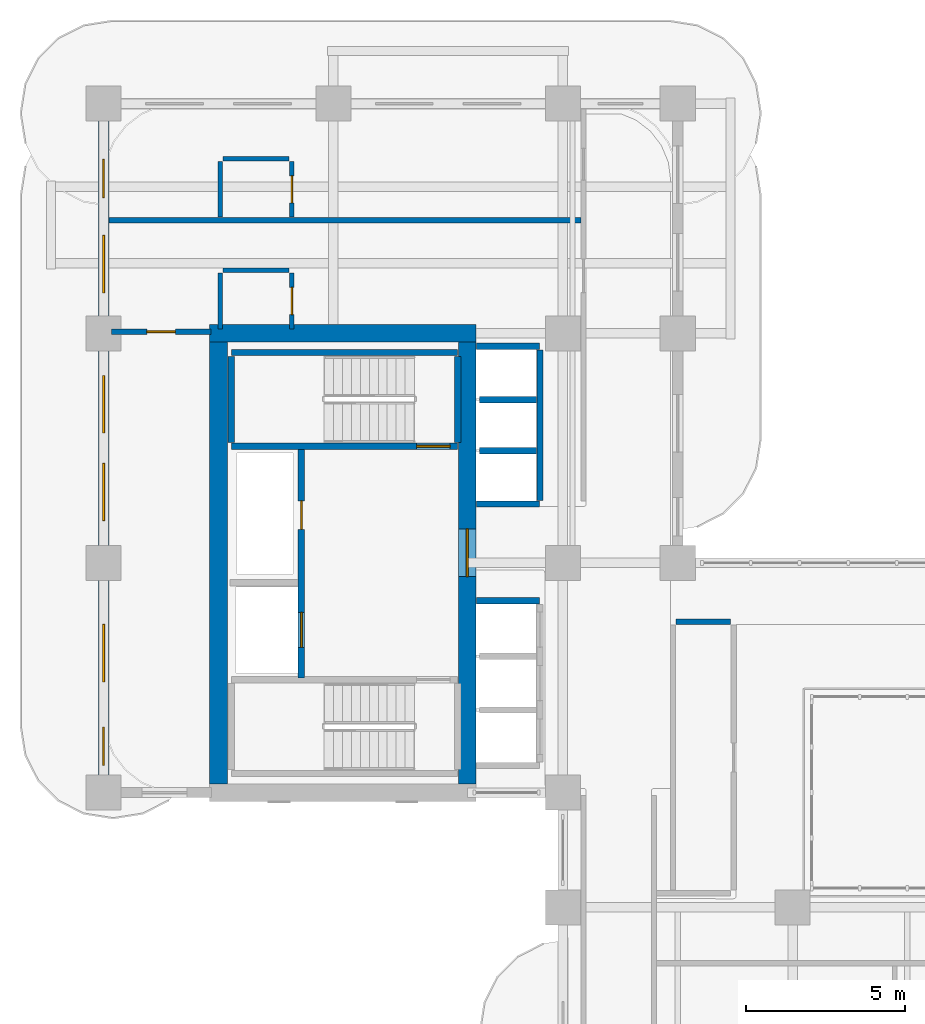
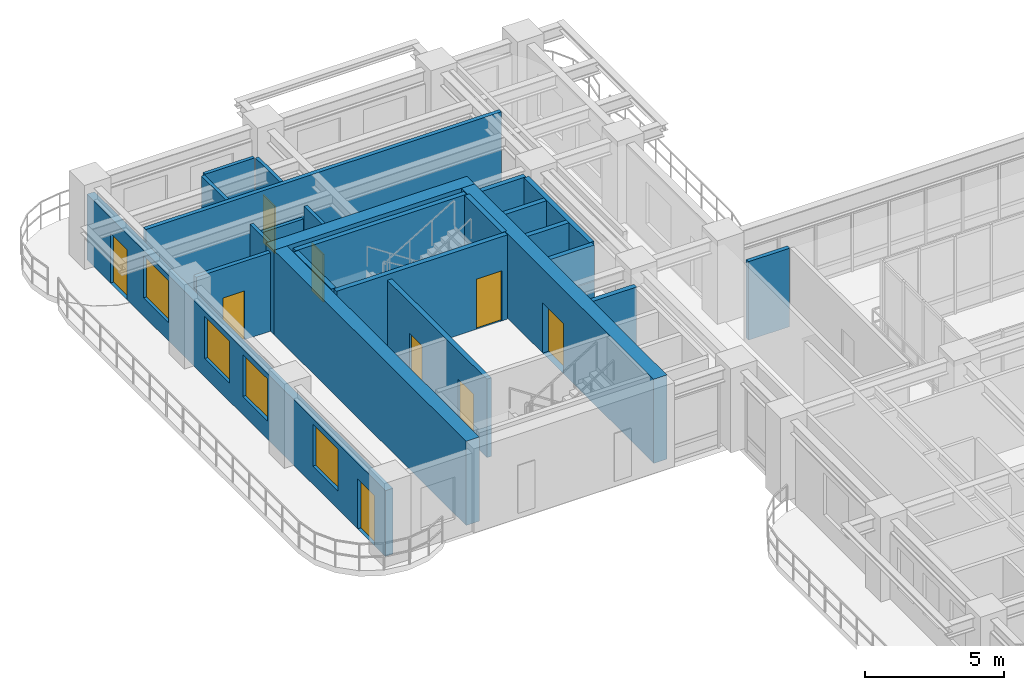
# One storey, part 16 of 22: 24 walls, 9 doors, 4 windows, 13 openings.
"""IFC4 building model written with IfcOpenShell, lengths in metres."""

from ifc_helpers import new_model, si_unit, derived_unit, direction, frame, frame_2d, origin, place, context, subcontext, project, spatial, rectangle, extrude, source, transform, mapped, material, layer, layer_set, type_object, type_shapes, element, fill, save


model = new_model("IFC4")

# Units and contexts
model_context = context("Model", 3, precision=1e-05, world=origin(), true_north=direction((0.0, 1.0)))
body_context = subcontext(model_context, "Body", "Model", "MODEL_VIEW")
ifc_project = project(units=[si_unit("LENGTHUNIT", "METRE"), si_unit("AREAUNIT", "SQUARE_METRE"), si_unit("VOLUMEUNIT", "CUBIC_METRE"), si_unit("PLANEANGLEUNIT", "RADIAN"), si_unit("MASSUNIT", "GRAM", prefix="KILO"), si_unit("THERMODYNAMICTEMPERATUREUNIT", "KELVIN"), si_unit("POWERUNIT", "WATT"), derived_unit("THERMALTRANSMITTANCEUNIT", [(si_unit("POWERUNIT", "WATT"), 1), (si_unit("AREAUNIT", "SQUARE_METRE"), -1), (si_unit("THERMODYNAMICTEMPERATUREUNIT", "KELVIN"), -1)])], contexts=[model_context])

# Site, building, storey
site_placement = place(None, origin())
site = spatial("IfcSite", under=ifc_project, at=site_placement, CompositionType="ELEMENT")
building_placement = place(site_placement, origin())
building = spatial("IfcBuilding", under=site, at=building_placement, Name="Zahravan Archway Hotel and Residences", CompositionType="ELEMENT")
storey_placement = place(building_placement, frame((0.0, 0.0, 91.60009765625)))
storey = spatial("IfcBuildingStorey", under=building, at=storey_placement, Name="L22", CompositionType="ELEMENT", Elevation=91.60009765625)

# Walls
ifc_material_1 = material(Name="Concrete C70/85", Category="concrete")
ifc_layer_1 = layer(ifc_material_1, 0.550048828125, Name="Concrete C70/85", Category="concrete")
ifc_layer_set_1 = layer_set([ifc_layer_1], Name="Concrete C70/85")
wall_type_1 = type_object("IfcWallType", Name="CW-CORE-550", PredefinedType="SHEAR", material=ifc_layer_set_1)
wall_1_placement = place(storey_placement, frame((3.324951171875, 39.60009765625, 0.0), z_axis=(0.0, 0.0, 1.0), x_axis=(1.0, 0.0, 0.0)))
element("IfcWall", 1, at=wall_1_placement, inside=storey, type_object=wall_type_1, Name="L22 Core B Shear N Wall 550 mm", PredefinedType="SHEAR", context=body_context, shape_type="SweptSolid", body=[
    extrude(rectangle(XDim=8.35009765625, YDim=0.550048828125, at=frame_2d((4.175048828125, 0.0))), origin(), (0.0, 0.0, 1.0), 3.699951171875),
])
wall_2_placement = place(storey_placement, frame((3.60009765625, 25.47509765625, 0.0), z_axis=(0.0, 0.0, 1.0), x_axis=(0.0, 1.0, 0.0)))
element("IfcWall", 2, at=wall_2_placement, inside=storey, type_object=wall_type_1, Name="L22 Core B Shear W Wall 550 mm", PredefinedType="SHEAR", context=body_context, shape_type="SweptSolid", body=[
    extrude(rectangle(XDim=13.849853515625, YDim=0.550048828125, at=frame_2d((6.9248046875, 0.0))), origin(), (0.0, 0.0, 1.0), 3.699951171875),
])

# Wall, opening, door
wall_3_placement = place(storey_placement, frame((11.39990234375, 25.47509765625, 0.0), z_axis=(0.0, 0.0, 1.0), x_axis=(0.0, 1.0, 0.0)))
wall_3 = element("IfcWall", 3, at=wall_3_placement, inside=storey, type_object=wall_type_1, Name="L22 Core B Shear E Wall 550 mm", PredefinedType="SHEAR", context=body_context, shape_type="SweptSolid", body=[
    extrude(rectangle(XDim=13.849853515625, YDim=0.550048828125, at=frame_2d((6.9248046875, 0.0))), origin(), (0.0, 0.0, 1.0), 3.699951171875),
])
opening_1_placement = place(wall_3_placement, frame((6.4951171875, 0.0, 0.0)))
opening_1 = element("IfcOpeningElement", 4, at=opening_1_placement, cuts=wall_3, Name="Opening FD-L1", PredefinedType="OPENING", context=body_context, shape_type="SweptSolid", body=[
    extrude(rectangle(XDim=1.5, YDim=2.199951171875, at=frame_2d((0.75, 1.10009765625))), frame((0.0, 0.28515625, 0.0), z_axis=(0.0, -1.0, 0.0), x_axis=(1.0, 0.0, 0.0)), (0.0, 0.0, 1.0), 0.570068359375),
])
ifc_material_2 = material(Name="Fire-Rated Painted Steel", Category="steel")
door_type_1 = type_object("IfcDoorType", Name="FD-LOBBY-1500", OperationType="DOUBLE_DOOR_SINGLE_SWING", PredefinedType="DOOR", material=ifc_material_2)
shared_shape_1 = source(origin(), body_context, "Body", "SweptSolid", [
    extrude(rectangle(XDim=1.5, YDim=2.199951171875, at=frame_2d((0.75, 1.10009765625))), frame((0.0, 0.02490234375, 0.0), z_axis=(0.0, -1.0, 0.0), x_axis=(1.0, 0.0, 0.0)), (0.0, 0.0, 1.0), 0.050048828125),
])
type_shapes(door_type_1, [shared_shape_1])
door_1_placement = place(opening_1_placement, origin())
door_1 = element("IfcDoor", 5, at=door_1_placement, inside=storey, type_object=door_type_1, Name="L22 Core B FSAE Lobby Door", OperationType="DOUBLE_DOOR_SINGLE_SWING", OverallHeight=2.199951171875, OverallWidth=1.5, PredefinedType="DOOR", context=body_context, shape_type="MappedRepresentation", body=[
    mapped(shared_shape_1, transform((0.0, 0.0, 0.0), scale=1.0)),
])
fill(opening_1, door_1)

# Wall, openings, doors, windows
ifc_material_3 = material(Name="Agra Buff Sandstone & Insulated Backup", Category="masonry")
ifc_layer_2 = layer(ifc_material_3, 0.320068359375, Name="Agra Buff Sandstone & Insulated Backup", Category="masonry")
ifc_layer_set_2 = layer_set([ifc_layer_2], Name="Agra Buff Sandstone & Insulated Backup")
wall_type_2 = type_object("IfcWallType", Name="EW-SAND-320", PredefinedType="SOLIDWALL", material=ifc_layer_set_2)
wall_4_placement = place(storey_placement, frame((0.0, 25.25, 0.0), z_axis=(0.0, 0.0, 1.0), x_axis=(0.0, 1.0, 0.0)))
wall_4 = element("IfcWall", 6, at=wall_4_placement, inside=storey, type_object=wall_type_2, Name="L22 Exterior Sandstone Wall WB-W", PredefinedType="SOLIDWALL", context=body_context, shape_type="SweptSolid", body=[
    extrude(rectangle(XDim=21.5, YDim=0.320068359375, at=frame_2d((10.75, 0.0))), origin(), (0.0, 0.0, 1.0), 2.885009765625),
])
opening_2_placement = place(wall_4_placement, frame((18.60693359375, 0.0, 0.0)))
opening_2 = element("IfcOpeningElement", 7, at=opening_2_placement, cuts=wall_4, Name="Opening ED-BL1", PredefinedType="OPENING", context=body_context, shape_type="SweptSolid", body=[
    extrude(rectangle(XDim=1.199951171875, YDim=2.199951171875, at=frame_2d((0.60009765625, 1.10009765625))), frame((0.0, 0.169921875, 0.0), z_axis=(0.0, -1.0, 0.0), x_axis=(1.0, 0.0, 0.0)), (0.0, 0.0, 1.0), 0.340087890625),
])
opening_3_placement = place(wall_4_placement, frame((0.800048828125, 0.0, 0.0)))
opening_3 = element("IfcOpeningElement", 8, at=opening_3_placement, cuts=wall_4, Name="Opening ED-BL1", PredefinedType="OPENING", context=body_context, shape_type="SweptSolid", body=[
    extrude(rectangle(XDim=1.199951171875, YDim=2.199951171875, at=frame_2d((0.60009765625, 1.10009765625))), frame((0.0, 0.169921875, 0.0), z_axis=(0.0, -1.0, 0.0), x_axis=(1.0, 0.0, 0.0)), (0.0, 0.0, 1.0), 0.340087890625),
])
opening_4_placement = place(wall_4_placement, frame((3.425048828125, 0.0, 0.800048828125)))
opening_4 = element("IfcOpeningElement", 9, at=opening_4_placement, cuts=wall_4, Name="Opening W-02", PredefinedType="OPENING", context=body_context, shape_type="SweptSolid", body=[
    extrude(rectangle(XDim=1.800048828125, YDim=1.85009765625, at=frame_2d((0.89990234375, 0.925048828125))), frame((0.0, 0.169921875, 0.0), z_axis=(0.0, -1.0, 0.0), x_axis=(1.0, 0.0, 0.0)), (0.0, 0.0, 1.0), 0.340087890625),
])
opening_5_placement = place(wall_4_placement, frame((8.47509765625, 0.0, 0.800048828125)))
opening_5 = element("IfcOpeningElement", 10, at=opening_5_placement, cuts=wall_4, Name="Opening W-02", PredefinedType="OPENING", context=body_context, shape_type="SweptSolid", body=[
    extrude(rectangle(XDim=1.800048828125, YDim=1.85009765625, at=frame_2d((0.89990234375, 0.925048828125))), frame((0.0, 0.169921875, 0.0), z_axis=(0.0, -1.0, 0.0), x_axis=(1.0, 0.0, 0.0)), (0.0, 0.0, 1.0), 0.340087890625),
])
opening_6_placement = place(wall_4_placement, frame((11.22509765625, 0.0, 0.800048828125)))
opening_6 = element("IfcOpeningElement", 11, at=opening_6_placement, cuts=wall_4, Name="Opening W-02", PredefinedType="OPENING", context=body_context, shape_type="SweptSolid", body=[
    extrude(rectangle(XDim=1.800048828125, YDim=1.85009765625, at=frame_2d((0.89990234375, 0.925048828125))), frame((0.0, 0.169921875, 0.0), z_axis=(0.0, -1.0, 0.0), x_axis=(1.0, 0.0, 0.0)), (0.0, 0.0, 1.0), 0.340087890625),
])
opening_7_placement = place(wall_4_placement, frame((15.62109375, 0.0, 0.800048828125)))
opening_7 = element("IfcOpeningElement", 12, at=opening_7_placement, cuts=wall_4, Name="Opening W-02", PredefinedType="OPENING", context=body_context, shape_type="SweptSolid", body=[
    extrude(rectangle(XDim=1.800048828125, YDim=1.85009765625, at=frame_2d((0.89990234375, 0.925048828125))), frame((0.0, 0.169921875, 0.0), z_axis=(0.0, -1.0, 0.0), x_axis=(1.0, 0.0, 0.0)), (0.0, 0.0, 1.0), 0.340087890625),
])
ifc_material_4 = material(Name="Bronze-Anodized Glazed Aluminium", Category="aluminium")
door_type_2 = type_object("IfcDoorType", Name="ED-BALC-1200", OperationType="SLIDING_TO_LEFT", PredefinedType="DOOR", material=ifc_material_4)
shared_shape_2 = source(origin(), body_context, "Body", "SweptSolid", [
    extrude(rectangle(XDim=1.199951171875, YDim=2.199951171875, at=frame_2d((0.60009765625, 1.10009765625))), frame((0.0, 0.02490234375, 0.0), z_axis=(0.0, -1.0, 0.0), x_axis=(1.0, 0.0, 0.0)), (0.0, 0.0, 1.0), 0.050048828125),
])
type_shapes(door_type_2, [shared_shape_2])
door_2_placement = place(opening_2_placement, origin())
door_2 = element("IfcDoor", 13, at=door_2_placement, inside=storey, type_object=door_type_2, Name="L22 Outdoor Access Sliding Door (SLB-BAL-L22-NB)", OperationType="SLIDING_TO_LEFT", OverallHeight=2.199951171875, OverallWidth=1.199951171875, PredefinedType="DOOR", context=body_context, shape_type="MappedRepresentation", body=[
    mapped(shared_shape_2, transform((0.0, 0.0, 0.0), scale=1.0)),
])
fill(opening_2, door_2)
door_3_placement = place(opening_3_placement, origin())
door_3 = element("IfcDoor", 14, at=door_3_placement, inside=storey, type_object=door_type_2, Name="L22 Outdoor Access Sliding Door (SLB-BAL-L22-WB)", OperationType="SLIDING_TO_LEFT", OverallHeight=2.199951171875, OverallWidth=1.199951171875, PredefinedType="DOOR", context=body_context, shape_type="MappedRepresentation", body=[
    mapped(shared_shape_2, transform((0.0, 0.0, 0.0), scale=1.0)),
])
fill(opening_3, door_3)
ifc_material_5 = material(Name="Bronze-Anodized Thermal-Break Aluminium & Low-E Glass", Category="aluminium")
window_type = type_object("IfcWindowType", Name="WIN-TWR-1800", PartitioningType="DOUBLE_PANEL_VERTICAL", PredefinedType="WINDOW", material=ifc_material_5)
shared_shape_3 = source(origin(), body_context, "Body", "SweptSolid", [
    extrude(rectangle(XDim=1.800048828125, YDim=1.85009765625, at=frame_2d((0.89990234375, 0.925048828125))), frame((0.0, 0.030029296875, 0.0), z_axis=(0.0, -1.0, 0.0), x_axis=(1.0, 0.0, 0.0)), (0.0, 0.0, 1.0), 0.06005859375),
])
type_shapes(window_type, [shared_shape_3])
window_1_placement = place(opening_4_placement, origin())
window_1 = element("IfcWindow", 15, at=window_1_placement, inside=storey, type_object=window_type, Name="L22 Loggia Window 29", OverallHeight=1.85009765625, OverallWidth=1.800048828125, PartitioningType="DOUBLE_PANEL_VERTICAL", PredefinedType="WINDOW", context=body_context, shape_type="MappedRepresentation", body=[
    mapped(shared_shape_3, transform((0.0, 0.0, 0.0), scale=1.0)),
])
fill(opening_4, window_1)
window_2_placement = place(opening_5_placement, origin())
window_2 = element("IfcWindow", 16, at=window_2_placement, inside=storey, type_object=window_type, Name="L22 Loggia Window 30", OverallHeight=1.85009765625, OverallWidth=1.800048828125, PartitioningType="DOUBLE_PANEL_VERTICAL", PredefinedType="WINDOW", context=body_context, shape_type="MappedRepresentation", body=[
    mapped(shared_shape_3, transform((0.0, 0.0, 0.0), scale=1.0)),
])
fill(opening_5, window_2)
window_3_placement = place(opening_6_placement, origin())
window_3 = element("IfcWindow", 17, at=window_3_placement, inside=storey, type_object=window_type, Name="L22 Loggia Window 31", OverallHeight=1.85009765625, OverallWidth=1.800048828125, PartitioningType="DOUBLE_PANEL_VERTICAL", PredefinedType="WINDOW", context=body_context, shape_type="MappedRepresentation", body=[
    mapped(shared_shape_3, transform((0.0, 0.0, 0.0), scale=1.0)),
])
fill(opening_6, window_3)
window_4_placement = place(opening_7_placement, origin())
window_4 = element("IfcWindow", 18, at=window_4_placement, inside=storey, type_object=window_type, Name="L22 Loggia Window 32", OverallHeight=1.85009765625, OverallWidth=1.800048828125, PartitioningType="DOUBLE_PANEL_VERTICAL", PredefinedType="WINDOW", context=body_context, shape_type="MappedRepresentation", body=[
    mapped(shared_shape_3, transform((0.0, 0.0, 0.0), scale=1.0)),
])
fill(opening_7, window_4)

# Wall, openings, doors
ifc_material_6 = material(Name="Fire-Rated Gypsum & Concrete Block", Category="concrete")
ifc_layer_3 = layer(ifc_material_6, 0.199951171875, Name="Fire-Rated Gypsum & Concrete Block", Category="concrete")
ifc_layer_set_3 = layer_set([ifc_layer_3], Name="Fire-Rated Gypsum & Concrete Block")
wall_type_3 = type_object("IfcWallType", Name="PW-SHAFT-200", PredefinedType="PARTITIONING", material=ifc_layer_set_3)
wall_5_placement = place(storey_placement, frame((6.199951171875, 28.7900390625, 0.0), z_axis=(0.0, 0.0, 1.0), x_axis=(0.0, 1.0, 0.0)))
wall_5 = element("IfcWall", 19, at=wall_5_placement, inside=storey, type_object=wall_type_3, Name="L22 Partition CB-FL3E", PredefinedType="PARTITIONING", context=body_context, shape_type="SweptSolid", body=[
    extrude(rectangle(XDim=7.219970703125, YDim=0.199951171875, at=frame_2d((3.60986328125, 0.0))), origin(), (0.0, 0.0, 1.0), 3.449951171875),
])
opening_8_placement = place(wall_5_placement, frame((4.659912109375, 0.0, 0.0)))
opening_8 = element("IfcOpeningElement", 20, at=opening_8_placement, cuts=wall_5, Name="Opening FD-R1", PredefinedType="OPENING", context=body_context, shape_type="SweptSolid", body=[
    extrude(rectangle(XDim=0.89990234375, YDim=2.10009765625, at=frame_2d((0.449951171875, 1.050048828125))), frame((0.0, 0.10986328125, 0.0), z_axis=(0.0, -1.0, 0.0), x_axis=(1.0, 0.0, 0.0)), (0.0, 0.0, 1.0), 0.219970703125),
])
opening_9_placement = place(wall_5_placement, frame((0.9599609375, 0.0, 0.0)))
opening_9 = element("IfcOpeningElement", 21, at=opening_9_placement, cuts=wall_5, Name="Opening LD", PredefinedType="OPENING", context=body_context, shape_type="SweptSolid", body=[
    extrude(rectangle(XDim=1.10009765625, YDim=2.199951171875, at=frame_2d((0.550048828125, 1.10009765625))), frame((0.0, 0.10986328125, 0.0), z_axis=(0.0, -1.0, 0.0), x_axis=(1.0, 0.0, 0.0)), (0.0, 0.0, 1.0), 0.219970703125),
])
door_type_3 = type_object("IfcDoorType", Name="FD-RISER-900", OperationType="NOTDEFINED", PredefinedType="DOOR", material=ifc_material_2)
shared_shape_4 = source(origin(), body_context, "Body", "SweptSolid", [
    extrude(rectangle(XDim=0.89990234375, YDim=2.10009765625, at=frame_2d((0.449951171875, 1.050048828125))), frame((0.0, 0.02490234375, 0.0), z_axis=(0.0, -1.0, 0.0), x_axis=(1.0, 0.0, 0.0)), (0.0, 0.0, 1.0), 0.050048828125),
])
type_shapes(door_type_3, [shared_shape_4])
door_4_placement = place(opening_8_placement, origin())
door_4 = element("IfcDoor", 22, at=door_4_placement, inside=storey, type_object=door_type_3, Name="L22 Core B Riser Door", OperationType="SINGLE_SWING_LEFT", OverallHeight=2.10009765625, OverallWidth=0.89990234375, PredefinedType="DOOR", context=body_context, shape_type="MappedRepresentation", body=[
    mapped(shared_shape_4, transform((0.0, 0.0, 0.0), scale=1.0)),
])
fill(opening_8, door_4)
ifc_material_7 = material(Name="Brushed Stainless Steel", Category="steel")
door_type_4 = type_object("IfcDoorType", Name="DR-LIFT-LD", OperationType="SLIDING_TO_LEFT", PredefinedType="DOOR", material=ifc_material_7)
shared_shape_5 = source(origin(), body_context, "Body", "SweptSolid", [
    extrude(rectangle(XDim=1.10009765625, YDim=2.199951171875, at=frame_2d((0.550048828125, 1.10009765625))), frame((0.0, 0.02490234375, 0.0), z_axis=(0.0, -1.0, 0.0), x_axis=(1.0, 0.0, 0.0)), (0.0, 0.0, 1.0), 0.050048828125),
])
type_shapes(door_type_4, [shared_shape_5])
door_5_placement = place(opening_9_placement, origin())
door_5 = element("IfcDoor", 23, at=door_5_placement, inside=storey, type_object=door_type_4, Name="L22 Lift FL-3 Sliding Landing Door", OperationType="SLIDING_TO_LEFT", OverallHeight=2.199951171875, OverallWidth=1.10009765625, PredefinedType="DOOR", context=body_context, shape_type="MappedRepresentation", body=[
    mapped(shared_shape_5, transform((0.0, 0.0, 0.0), scale=1.0)),
])
fill(opening_9, door_5)

# Walls
for number, where, z_axis, x_axis, name in (
    (24, (11.68505859375, 31.2099609375, 0.0), (0.0, 0.0, 1.0), (1.0, 0.0, 0.0), "L22 Partition B1-N"),
    (25, (11.68505859375, 34.25, 0.0), (0.0, 0.0, 1.0), (1.0, 0.0, 0.0), "L22 Partition B2-S"),
    (26, (11.68505859375, 39.18994140625, 0.0), (0.0, 0.0, 1.0), (1.0, 0.0, 0.0), "L22 Partition B2-N"),
):
    element("IfcWall", number, at=place(storey_placement, frame(where, z_axis=z_axis, x_axis=x_axis)), inside=storey, type_object=wall_type_3, Name=name, PredefinedType="PARTITIONING", context=body_context, shape_type="SweptSolid", body=[
        extrude(rectangle(XDim=1.98486328125, YDim=0.199951171875, at=frame_2d((0.992431640625, 0.0))), origin(), (0.0, 0.0, 1.0), 3.449951171875),
    ])
wall_6_placement = place(storey_placement, frame((13.679931640625, 34.360107421875, 0.0), z_axis=(0.0, 0.0, 1.0), x_axis=(0.0, 1.0, 0.0)))
element("IfcWall", 27, at=wall_6_placement, inside=storey, type_object=wall_type_3, Name="L22 Partition B2-E", PredefinedType="PARTITIONING", context=body_context, shape_type="SweptSolid", body=[
    extrude(rectangle(XDim=4.719970703125, YDim=0.199951171875, at=frame_2d((2.35986328125, 0.0))), origin(), (0.0, 0.0, 1.0), 3.449951171875),
])
for number, where, z_axis, x_axis, name in (
    (28, (11.784912109375, 35.919921875, 0.0), (0.0, 0.0, 1.0), (1.0, 0.0, 0.0), "L22 Partition B2-D"),
    (29, (11.784912109375, 37.52001953125, 0.0), (0.0, 0.0, 1.0), (1.0, 0.0, 0.0), "L22 Partition B2-D"),
):
    element("IfcWall", number, at=place(storey_placement, frame(where, z_axis=z_axis, x_axis=x_axis)), inside=storey, type_object=wall_type_3, Name=name, PredefinedType="PARTITIONING", context=body_context, shape_type="SweptSolid", body=[
        extrude(rectangle(XDim=1.78515625, YDim=0.199951171875, at=frame_2d((0.892578125, 0.0))), origin(), (0.0, 0.0, 1.0), 3.449951171875),
    ])

# Wall, opening, door
ifc_material_8 = material(Name="Acoustic Stud Partition")
ifc_layer_4 = layer(ifc_material_8, 0.169921875, Name="Acoustic Stud Partition")
ifc_layer_set_4 = layer_set([ifc_layer_4], Name="Acoustic Stud Partition")
wall_type_4 = type_object("IfcWallType", Name="PW-UNIT-170", PredefinedType="PARTITIONING", material=ifc_layer_set_4)
wall_7_placement = place(storey_placement, frame((0.239990234375, 39.64990234375, 0.0), z_axis=(0.0, 0.0, 1.0), x_axis=(1.0, 0.0, 0.0)))
wall_7 = element("IfcWall", 30, at=wall_7_placement, inside=storey, type_object=wall_type_4, Name="L22 Partition WBW-N", PredefinedType="PARTITIONING", context=body_context, shape_type="SweptSolid", body=[
    extrude(rectangle(XDim=3.1201171875, YDim=0.169921875, at=frame_2d((1.56005859375, 0.0))), origin(), (0.0, 0.0, 1.0), 3.449951171875),
])
opening_10_placement = place(wall_7_placement, frame((1.110107421875, 0.0, 0.0)))
opening_10 = element("IfcOpeningElement", 31, at=opening_10_placement, cuts=wall_7, Name="Opening D-I2", PredefinedType="OPENING", context=body_context, shape_type="SweptSolid", body=[
    extrude(rectangle(XDim=0.89990234375, YDim=2.14990234375, at=frame_2d((0.449951171875, 1.074951171875))), frame((0.0, 0.094970703125, 0.0), z_axis=(0.0, -1.0, 0.0), x_axis=(1.0, 0.0, 0.0)), (0.0, 0.0, 1.0), 0.18994140625),
])
ifc_material_9 = material(Name="Hardwood Veneer Timber", Category="wood")
door_type_5 = type_object("IfcDoorType", Name="ID-INT-900", OperationType="NOTDEFINED", PredefinedType="DOOR", material=ifc_material_9)
shared_shape_6 = source(origin(), body_context, "Body", "SweptSolid", [
    extrude(rectangle(XDim=0.89990234375, YDim=2.14990234375, at=frame_2d((0.449951171875, 1.074951171875))), frame((0.0, 0.02490234375, 0.0), z_axis=(0.0, -1.0, 0.0), x_axis=(1.0, 0.0, 0.0)), (0.0, 0.0, 1.0), 0.050048828125),
])
type_shapes(door_type_5, [shared_shape_6])
door_6_placement = place(opening_10_placement, origin())
door_6 = element("IfcDoor", 32, at=door_6_placement, inside=storey, type_object=door_type_5, Name="L22 West Loggia Salon Door", OperationType="SINGLE_SWING_RIGHT", OverallHeight=2.14990234375, OverallWidth=0.89990234375, PredefinedType="DOOR", context=body_context, shape_type="MappedRepresentation", body=[
    mapped(shared_shape_6, transform((0.0, 0.0, 0.0), scale=1.0)),
])
fill(opening_10, door_6)

# Walls
wall_8_placement = place(storey_placement, frame((0.16796875, 43.14990234375, 0.0), z_axis=(0.0, 0.0, 1.0), x_axis=(1.0, 0.0, 0.0)))
element("IfcWall", 33, at=wall_8_placement, inside=storey, type_object=wall_type_4, Name="L22 Partition WBN-M0", PredefinedType="PARTITIONING", context=body_context, shape_type="SweptSolid", body=[
    extrude(rectangle(XDim=14.7919921875, YDim=0.169921875, at=frame_2d((7.39599609375, 0.0))), origin(), (0.0, 0.0, 1.0), 3.449951171875),
])
wall_9_placement = place(storey_placement, frame((17.93994140625, 30.550048828125, 0.0), z_axis=(0.0, 0.0, 1.0), x_axis=(1.0, 0.0, 0.0)))
element("IfcWall", 34, at=wall_9_placement, inside=storey, type_object=wall_type_4, Name="L22 Partition ATR-WLN", PredefinedType="PARTITIONING", context=body_context, shape_type="SweptSolid", body=[
    extrude(rectangle(XDim=1.719970703125, YDim=0.169921875, at=frame_2d((0.85986328125, 0.0))), origin(), (0.0, 0.0, 1.0), 3.449951171875),
])
ifc_material_10 = material(Name="Moisture-Resistant Blockwork", Category="masonry")
ifc_layer_5 = layer(ifc_material_10, 0.139892578125, Name="Moisture-Resistant Blockwork", Category="masonry")
ifc_layer_set_5 = layer_set([ifc_layer_5], Name="Moisture-Resistant Blockwork")
wall_type_5 = type_object("IfcWallType", Name="PW-WET-140", PredefinedType="PARTITIONING", material=ifc_layer_set_5)
wall_10_placement = place(storey_placement, frame((3.64990234375, 39.739990234375, 0.0), z_axis=(0.0, 0.0, 1.0), x_axis=(0.0, 1.0, 0.0)))
element("IfcWall", 35, at=wall_10_placement, inside=storey, type_object=wall_type_5, Name="L22 Partition HKB-VL76", PredefinedType="PARTITIONING", context=body_context, shape_type="SweptSolid", body=[
    extrude(rectangle(XDim=1.7451171875, YDim=0.139892578125, at=frame_2d((0.87255859375, 0.0))), origin(), (0.0, 0.0, 1.0), 3.449951171875),
])
wall_11_placement = place(storey_placement, frame((3.739990234375, 41.574951171875, 0.0), z_axis=(0.0, 0.0, 1.0), x_axis=(1.0, 0.0, 0.0)))
element("IfcWall", 36, at=wall_11_placement, inside=storey, type_object=wall_type_5, Name="L22 Partition HKB-H76", PredefinedType="PARTITIONING", context=body_context, shape_type="SweptSolid", body=[
    extrude(rectangle(XDim=2.070068359375, YDim=0.139892578125, at=frame_2d((1.03515625, 0.0))), origin(), (0.0, 0.0, 1.0), 2.885009765625),
])

# Wall, opening, door
wall_12_placement = place(storey_placement, frame((5.89990234375, 39.739990234375, 0.0), z_axis=(0.0, 0.0, 1.0), x_axis=(0.0, 1.0, 0.0)))
wall_12 = element("IfcWall", 37, at=wall_12_placement, inside=storey, type_object=wall_type_5, Name="L22 Partition HKB-V76", PredefinedType="PARTITIONING", context=body_context, shape_type="SweptSolid", body=[
    extrude(rectangle(XDim=1.7451171875, YDim=0.139892578125, at=frame_2d((0.87255859375, 0.0))), origin(), (0.0, 0.0, 1.0), 3.449951171875),
])
opening_11_placement = place(wall_12_placement, frame((0.447509765625, 0.0, 0.0)))
opening_11 = element("IfcOpeningElement", 38, at=opening_11_placement, cuts=wall_12, Name="Opening D-B1", PredefinedType="OPENING", context=body_context, shape_type="SweptSolid", body=[
    extrude(rectangle(XDim=0.85009765625, YDim=2.10009765625, at=frame_2d((0.425048828125, 1.050048828125))), frame((0.0, 0.080078125, 0.0), z_axis=(0.0, -1.0, 0.0), x_axis=(1.0, 0.0, 0.0)), (0.0, 0.0, 1.0), 0.159912109375),
])
door_type_6 = type_object("IfcDoorType", Name="ID-BATH-850", OperationType="NOTDEFINED", PredefinedType="DOOR", material=ifc_material_9)
shared_shape_7 = source(origin(), body_context, "Body", "SweptSolid", [
    extrude(rectangle(XDim=0.85009765625, YDim=2.10009765625, at=frame_2d((0.425048828125, 1.050048828125))), frame((0.0, 0.02490234375, 0.0), z_axis=(0.0, -1.0, 0.0), x_axis=(1.0, 0.0, 0.0)), (0.0, 0.0, 1.0), 0.050048828125),
])
type_shapes(door_type_6, [shared_shape_7])
door_7_placement = place(opening_11_placement, origin())
door_7 = element("IfcDoor", 39, at=door_7_placement, inside=storey, type_object=door_type_6, Name="L22 Guestroom 76 En-Suite Door", OperationType="SINGLE_SWING_LEFT", OverallHeight=2.10009765625, OverallWidth=0.85009765625, PredefinedType="DOOR", context=body_context, shape_type="MappedRepresentation", body=[
    mapped(shared_shape_7, transform((0.0, 0.0, 0.0), scale=1.0)),
])
fill(opening_11, door_7)

# Walls
wall_13_placement = place(storey_placement, frame((3.64990234375, 43.239990234375, 0.0), z_axis=(0.0, 0.0, 1.0), x_axis=(0.0, 1.0, 0.0)))
element("IfcWall", 40, at=wall_13_placement, inside=storey, type_object=wall_type_5, Name="L22 Partition HKB-VL77", PredefinedType="PARTITIONING", context=body_context, shape_type="SweptSolid", body=[
    extrude(rectangle(XDim=1.7451171875, YDim=0.139892578125, at=frame_2d((0.87255859375, 0.0))), origin(), (0.0, 0.0, 1.0), 3.449951171875),
])
wall_14_placement = place(storey_placement, frame((3.739990234375, 45.074951171875, 0.0), z_axis=(0.0, 0.0, 1.0), x_axis=(1.0, 0.0, 0.0)))
element("IfcWall", 41, at=wall_14_placement, inside=storey, type_object=wall_type_5, Name="L22 Partition HKB-H77", PredefinedType="PARTITIONING", context=body_context, shape_type="SweptSolid", body=[
    extrude(rectangle(XDim=2.070068359375, YDim=0.139892578125, at=frame_2d((1.03515625, 0.0))), origin(), (0.0, 0.0, 1.0), 3.449951171875),
])

# Wall, opening, door
wall_15_placement = place(storey_placement, frame((5.89990234375, 43.239990234375, 0.0), z_axis=(0.0, 0.0, 1.0), x_axis=(0.0, 1.0, 0.0)))
wall_15 = element("IfcWall", 42, at=wall_15_placement, inside=storey, type_object=wall_type_5, Name="L22 Partition HKB-V77", PredefinedType="PARTITIONING", context=body_context, shape_type="SweptSolid", body=[
    extrude(rectangle(XDim=1.7451171875, YDim=0.139892578125, at=frame_2d((0.87255859375, 0.0))), origin(), (0.0, 0.0, 1.0), 3.449951171875),
])
opening_12_placement = place(wall_15_placement, frame((0.447509765625, 0.0, 0.0)))
opening_12 = element("IfcOpeningElement", 43, at=opening_12_placement, cuts=wall_15, Name="Opening D-B1", PredefinedType="OPENING", context=body_context, shape_type="SweptSolid", body=[
    extrude(rectangle(XDim=0.85009765625, YDim=2.10009765625, at=frame_2d((0.425048828125, 1.050048828125))), frame((0.0, 0.080078125, 0.0), z_axis=(0.0, -1.0, 0.0), x_axis=(1.0, 0.0, 0.0)), (0.0, 0.0, 1.0), 0.159912109375),
])
door_8_placement = place(opening_12_placement, origin())
door_8 = element("IfcDoor", 44, at=door_8_placement, inside=storey, type_object=door_type_6, Name="L22 Guestroom 77 En-Suite Door", OperationType="SINGLE_SWING_LEFT", OverallHeight=2.10009765625, OverallWidth=0.85009765625, PredefinedType="DOOR", context=body_context, shape_type="MappedRepresentation", body=[
    mapped(shared_shape_7, transform((0.0, 0.0, 0.0), scale=1.0)),
])
fill(opening_12, door_8)

# Walls
ifc_material_11 = material(Name="Concrete C50/60", Category="concrete")
ifc_layer_6 = layer(ifc_material_11, 0.199951171875, Name="Concrete C50/60", Category="concrete")
ifc_layer_set_6 = layer_set([ifc_layer_6], Name="Concrete C50/60")
wall_type_6 = type_object("IfcWallType", Name="SW-STAIR-200", PredefinedType="SHEAR", material=ifc_layer_set_6)
wall_16_placement = place(storey_placement, frame((4.0, 39.0, 0.0), z_axis=(0.0, 0.0, 1.0), x_axis=(1.0, 0.0, 0.0)))
element("IfcWall", 45, at=wall_16_placement, inside=storey, type_object=wall_type_6, Name="L22 Stairwell RC Wall CB-SB2N", PredefinedType="SHEAR", context=body_context, shape_type="SweptSolid", body=[
    extrude(rectangle(XDim=7.10009765625, YDim=0.199951171875, at=frame_2d((3.550048828125, 0.0))), origin(), (0.0, 0.0, 1.0), 3.699951171875),
])
for number, where, z_axis, x_axis, name in (
    (46, (4.0, 36.179931640625, 0.0), (0.0, 0.0, 1.0), (0.0, 1.0, 0.0), "L22 Stairwell RC Wall CB-SB2W"),
    (47, (11.10009765625, 36.179931640625, 0.0), (0.0, 0.0, 1.0), (0.0, 1.0, 0.0), "L22 Stairwell RC Wall CB-SB2E"),
):
    element("IfcWall", number, at=place(storey_placement, frame(where, z_axis=z_axis, x_axis=x_axis)), inside=storey, type_object=wall_type_6, Name=name, PredefinedType="SHEAR", context=body_context, shape_type="SweptSolid", body=[
        extrude(rectangle(XDim=2.699951171875, YDim=0.199951171875, at=frame_2d((1.35009765625, 0.0))), origin(), (0.0, 0.0, 1.0), 3.699951171875),
    ])

# Wall, opening, door
wall_17_placement = place(storey_placement, frame((4.0, 36.06005859375, 0.0), z_axis=(0.0, 0.0, 1.0), x_axis=(1.0, 0.0, 0.0)))
wall_17 = element("IfcWall", 48, at=wall_17_placement, inside=storey, type_object=wall_type_6, Name="L22 Stairwell RC Wall CB-SB2S", PredefinedType="SHEAR", context=body_context, shape_type="SweptSolid", body=[
    extrude(rectangle(XDim=7.10009765625, YDim=0.199951171875, at=frame_2d((3.550048828125, 0.0))), origin(), (0.0, 0.0, 1.0), 3.699951171875),
])
opening_13_placement = place(wall_17_placement, frame((5.81494140625, 0.0, 0.0)))
opening_13 = element("IfcOpeningElement", 49, at=opening_13_placement, cuts=wall_17, Name="Opening FD-S1", PredefinedType="OPENING", context=body_context, shape_type="SweptSolid", body=[
    extrude(rectangle(XDim=1.050048828125, YDim=2.199951171875, at=frame_2d((0.52490234375, 1.10009765625))), frame((0.0, 0.10986328125, 0.0), z_axis=(0.0, -1.0, 0.0), x_axis=(1.0, 0.0, 0.0)), (0.0, 0.0, 1.0), 0.219970703125),
])
door_type_7 = type_object("IfcDoorType", Name="FD-STAIR-1100", OperationType="NOTDEFINED", PredefinedType="DOOR", material=ifc_material_2)
shared_shape_8 = source(origin(), body_context, "Body", "SweptSolid", [
    extrude(rectangle(XDim=1.050048828125, YDim=2.199951171875, at=frame_2d((0.52490234375, 1.10009765625))), frame((0.0, 0.02490234375, 0.0), z_axis=(0.0, -1.0, 0.0), x_axis=(1.0, 0.0, 0.0)), (0.0, 0.0, 1.0), 0.050048828125),
])
type_shapes(door_type_7, [shared_shape_8])
door_9_placement = place(opening_13_placement, origin())
door_9 = element("IfcDoor", 50, at=door_9_placement, inside=storey, type_object=door_type_7, Name="L22 Stair ST-B2 Door", OperationType="SINGLE_SWING_RIGHT", OverallHeight=2.199951171875, OverallWidth=1.050048828125, PredefinedType="DOOR", context=body_context, shape_type="MappedRepresentation", body=[
    mapped(shared_shape_8, transform((0.0, 0.0, 0.0), scale=1.0)),
])
fill(opening_13, door_9)

save(model, "model.ifc")
